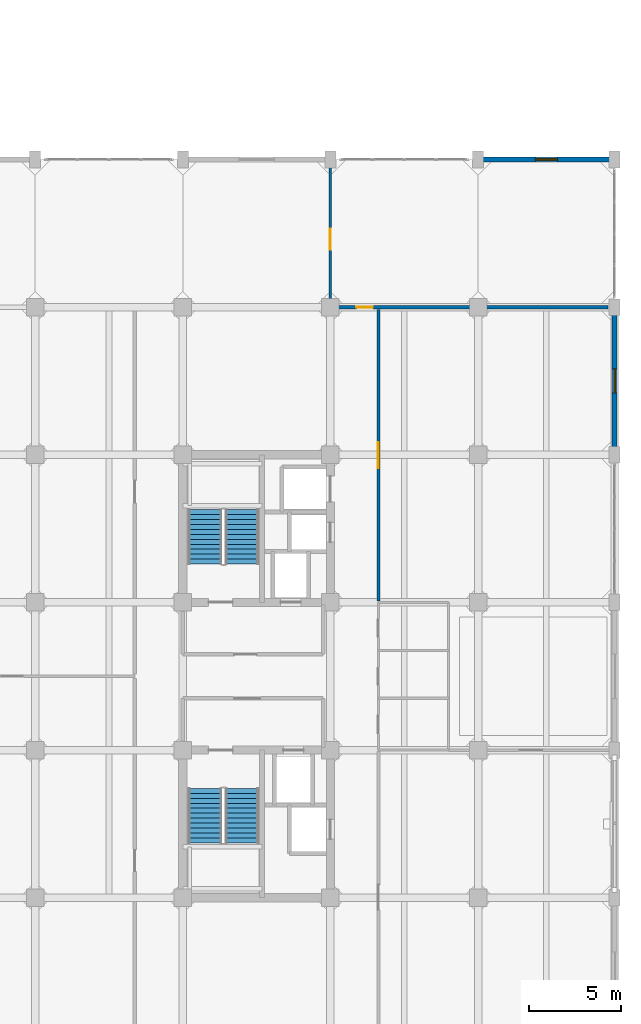
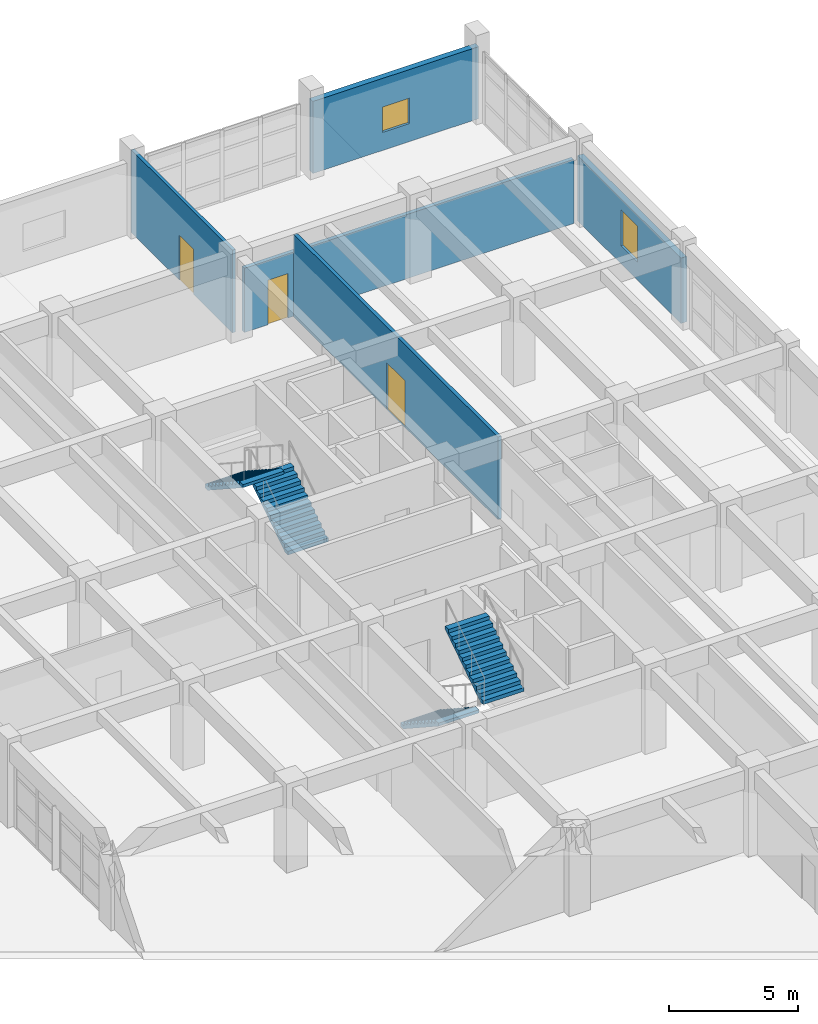
# One storey, part 28 of 35: 5 walls, 4 stair flights, 3 doors, 2 windows, 5 openings, 2 elements without a shape of their own.
"""IFC4 building model written with IfcOpenShell, lengths in metres."""

from ifc_helpers import new_model, si_unit, direction, frame, frame_2d, origin, place, context, subcontext, project, spatial, polyline, rectangle, outline, extrude, material, layer, layer_set, type_object, element, fill, aggregate, save


model = new_model("IFC4")

# Units and contexts
model_context = context("Model", 3, precision=1e-05, world=origin(), true_north=direction((0.0, 1.0)))
body_context = subcontext(model_context, "Body", "Model", "MODEL_VIEW")
ifc_project = project(units=[si_unit("LENGTHUNIT", "METRE"), si_unit("AREAUNIT", "SQUARE_METRE"), si_unit("VOLUMEUNIT", "CUBIC_METRE"), si_unit("PLANEANGLEUNIT", "RADIAN"), si_unit("MASSUNIT", "GRAM", prefix="KILO")], contexts=[model_context])

# Site, building, storey
site_placement = place(None, origin())
site = spatial("IfcSite", under=ifc_project, at=site_placement, CompositionType="ELEMENT")
building_placement = place(site_placement, origin())
building = spatial("IfcBuilding", under=site, at=building_placement, Name="Canggui Botanical Conservatory", CompositionType="ELEMENT")
storey_placement = place(building_placement, frame((0.0, 0.0, 15.0)))
storey = spatial("IfcBuildingStorey", under=building, at=storey_placement, Name="L04", CompositionType="ELEMENT", Elevation=15.0)

# Wall, opening, window
ifc_material_1 = material(Name="Precast Concrete C40", Category="concrete")
ifc_layer_1 = layer(ifc_material_1, 0.260009765625, Name="Precast Concrete C40", Category="concrete")
ifc_layer_set_1 = layer_set([ifc_layer_1], Name="Precast Concrete C40")
wall_type_1 = type_object("IfcWallType", Name="EW-260", PredefinedType="STANDARD", material=ifc_layer_set_1)
wall_1_placement = place(storey_placement, frame((170.0, 82.0, 0.0), z_axis=(0.0, 0.0, 1.0), x_axis=(1.0, 0.0, 0.0)))
wall_1 = element("IfcWall", 1, at=wall_1_placement, inside=storey, type_object=wall_type_1, Name="Tower Insulated Exterior Wall L04-N17", PredefinedType="STANDARD", context=body_context, shape_type="SweptSolid", body=[
    extrude(rectangle(XDim=7.39990234375, YDim=0.260009765625, at=frame_2d((3.699951171875, 0.0))), origin(), (0.0, 0.0, 1.0), 3.39990234375),
])
opening_1_placement = place(wall_1_placement, frame((3.10009765625, 0.0, 0.85009765625)))
opening_1 = element("IfcOpeningElement", 2, at=opening_1_placement, cuts=wall_1, Name="Opening W-06", PredefinedType="OPENING", context=body_context, shape_type="SweptSolid", body=[
    extrude(rectangle(XDim=1.199951171875, YDim=1.199951171875, at=frame_2d((0.60009765625, 0.60009765625))), frame((0.0, 0.14013671875, 0.0), z_axis=(0.0, -1.0, 0.0), x_axis=(1.0, 0.0, 0.0)), (0.0, 0.0, 1.0), 0.280029296875),
])
ifc_material_2 = material(Name="Low-E Insulated Glass", Category="glass")
window_type_1 = type_object("IfcWindowType", Name="WIN-06", PartitioningType="SINGLE_PANEL", PredefinedType="WINDOW", material=ifc_material_2)
window_1_placement = place(opening_1_placement, origin())
window_1 = element("IfcWindow", 3, at=window_1_placement, inside=storey, type_object=window_type_1, Name="Tower Firefighter Rescue Window L04-17", OverallHeight=1.199951171875, OverallWidth=1.199951171875, PartitioningType="SINGLE_PANEL", PredefinedType="WINDOW", context=body_context, shape_type="SweptSolid", body=[
    extrude(rectangle(XDim=1.199951171875, YDim=1.199951171875, at=frame_2d((0.60009765625, 0.60009765625))), frame((0.0, 0.030029296875, 0.0), z_axis=(0.0, -1.0, 0.0), x_axis=(1.0, 0.0, 0.0)), (0.0, 0.0, 1.0), 0.06005859375),
])
fill(opening_1, window_1)

wall_2_placement = place(storey_placement, frame((177.39990234375, 74.0, 0.0), z_axis=(0.0, 0.0, 1.0), x_axis=(0.0, -1.0, 0.0)))
wall_2 = element("IfcWall", 4, at=wall_2_placement, inside=storey, type_object=wall_type_1, Name="Tower Insulated Exterior Wall L04-E19", PredefinedType="STANDARD", context=body_context, shape_type="SweptSolid", body=[
    extrude(rectangle(XDim=8.0, YDim=0.260009765625, at=frame_2d((4.0, 0.0))), origin(), (0.0, 0.0, 1.0), 3.080078125),
])
opening_2_placement = place(wall_2_placement, frame((3.35009765625, 0.0, 0.85009765625)))
opening_2 = element("IfcOpeningElement", 5, at=opening_2_placement, cuts=wall_2, Name="Opening W-24", PredefinedType="OPENING", context=body_context, shape_type="SweptSolid", body=[
    extrude(rectangle(XDim=1.300048828125, YDim=1.699951171875, at=frame_2d((0.64990234375, 0.85009765625))), frame((0.0, 0.14013671875, 0.0), z_axis=(0.0, -1.0, 0.0), x_axis=(1.0, 0.0, 0.0)), (0.0, 0.0, 1.0), 0.280029296875),
])
window_type_2 = type_object("IfcWindowType", Name="WIN-24", PartitioningType="SINGLE_PANEL", PredefinedType="WINDOW", material=ifc_material_2)
window_2_placement = place(opening_2_placement, origin())
window_2 = element("IfcWindow", 6, at=window_2_placement, inside=storey, type_object=window_type_2, Name="Tower Window L04-19", OverallHeight=1.699951171875, OverallWidth=1.300048828125, PartitioningType="SINGLE_PANEL", PredefinedType="WINDOW", context=body_context, shape_type="SweptSolid", body=[
    extrude(rectangle(XDim=1.300048828125, YDim=1.699951171875, at=frame_2d((0.64990234375, 0.85009765625))), frame((0.0, 0.030029296875, 0.0), z_axis=(0.0, -1.0, 0.0), x_axis=(1.0, 0.0, 0.0)), (0.0, 0.0, 1.0), 0.06005859375),
])
fill(opening_2, window_2)

# Wall, opening, door
ifc_material_3 = material(Name="Gypsum Plasterboard Partition")
ifc_layer_2 = layer(ifc_material_3, 0.175048828125, Name="Gypsum Plasterboard Partition")
ifc_layer_set_2 = layer_set([ifc_layer_2], Name="Gypsum Plasterboard Partition")
wall_type_2 = type_object("IfcWallType", Name="IW-CORR-175", PredefinedType="STANDARD", material=ifc_layer_set_2)
wall_3_placement = place(storey_placement, frame((162.35009765625, 74.0, 0.0), z_axis=(0.0, 0.0, 1.0), x_axis=(1.0, 0.0, 0.0)))
wall_3 = element("IfcWall", 7, at=wall_3_placement, inside=storey, type_object=wall_type_2, Name="L04 Botanical Exchange Seminar Room North Suite Wall", PredefinedType="STANDARD", context=body_context, shape_type="SweptSolid", body=[
    extrude(rectangle(XDim=14.699951171875, YDim=0.175048828125, at=frame_2d((7.35009765625, 0.0))), origin(), (0.0, 0.0, 1.0), 3.030029296875),
])
opening_3_placement = place(wall_3_placement, frame((1.050048828125, 0.0, 0.0)))
opening_3 = element("IfcOpeningElement", 8, at=opening_3_placement, cuts=wall_3, Name="Opening FD-01", PredefinedType="OPENING", context=body_context, shape_type="SweptSolid", body=[
    extrude(rectangle(XDim=0.89990234375, YDim=2.10009765625, at=frame_2d((0.449951171875, 1.050048828125))), frame((0.0, 0.09765625, 0.0), z_axis=(0.0, -1.0, 0.0), x_axis=(1.0, 0.0, 0.0)), (0.0, 0.0, 1.0), 0.195068359375),
])
ifc_material_4 = material(Name="Powder-Coated Steel", Category="steel")
door_type_1 = type_object("IfcDoorType", Name="FD-01", OperationType="NOTDEFINED", PredefinedType="DOOR", material=ifc_material_4)
door_1_placement = place(opening_3_placement, origin())
door_1 = element("IfcDoor", 9, at=door_1_placement, inside=storey, type_object=door_type_1, Name="Interior Door IW-L04-NCOR-2", OperationType="SINGLE_SWING_RIGHT", OverallHeight=2.10009765625, OverallWidth=0.89990234375, PredefinedType="DOOR", context=body_context, shape_type="SweptSolid", body=[
    extrude(rectangle(XDim=0.89990234375, YDim=2.10009765625, at=frame_2d((0.449951171875, 1.050048828125))), frame((0.0, 0.02490234375, 0.0), z_axis=(0.0, -1.0, 0.0), x_axis=(1.0, 0.0, 0.0)), (0.0, 0.0, 1.0), 0.050048828125),
])
fill(opening_3, door_1)

ifc_layer_3 = layer(ifc_material_3, 0.155029296875, Name="Gypsum Plasterboard Partition")
ifc_layer_set_3 = layer_set([ifc_layer_3], Name="Gypsum Plasterboard Partition")
wall_type_3 = type_object("IfcWallType", Name="IW-LAB-155", PredefinedType="STANDARD", material=ifc_layer_set_3)
wall_4_placement = place(storey_placement, frame((164.60009765625, 58.080078125, 0.0), z_axis=(0.0, 0.0, 1.0), x_axis=(0.0, 1.0, 0.0)))
wall_4 = element("IfcWall", 10, at=wall_4_placement, inside=storey, type_object=wall_type_3, Name="L04 Herbarium Specimen Curation Hall Lab Wall", PredefinedType="STANDARD", context=body_context, shape_type="SweptSolid", body=[
    extrude(rectangle(XDim=15.7998046875, YDim=0.155029296875, at=frame_2d((7.89990234375, 0.0))), origin(), (0.0, 0.0, 1.0), 3.89990234375),
])
opening_4_placement = place(wall_4_placement, frame((7.199951171875, 0.0, 0.0)))
opening_4 = element("IfcOpeningElement", 11, at=opening_4_placement, cuts=wall_4, Name="Opening FD-11", PredefinedType="OPENING", context=body_context, shape_type="SweptSolid", body=[
    extrude(rectangle(XDim=1.39990234375, YDim=2.199951171875, at=frame_2d((0.699951171875, 1.10009765625))), frame((0.0, 0.08740234375, 0.0), z_axis=(0.0, -1.0, 0.0), x_axis=(1.0, 0.0, 0.0)), (0.0, 0.0, 1.0), 0.175048828125),
])
door_type_2 = type_object("IfcDoorType", Name="FD-11", OperationType="NOTDEFINED", PredefinedType="DOOR", material=ifc_material_4)
door_2_placement = place(opening_4_placement, origin())
door_2 = element("IfcDoor", 12, at=door_2_placement, inside=storey, type_object=door_type_2, Name="Interior Door IW-L04-ECOR-2-1", OperationType="SINGLE_SWING_RIGHT", OverallHeight=2.199951171875, OverallWidth=1.39990234375, PredefinedType="DOOR", context=body_context, shape_type="SweptSolid", body=[
    extrude(rectangle(XDim=1.39990234375, YDim=2.199951171875, at=frame_2d((0.699951171875, 1.10009765625))), frame((0.0, 0.02490234375, 0.0), z_axis=(0.0, -1.0, 0.0), x_axis=(1.0, 0.0, 0.0)), (0.0, 0.0, 1.0), 0.050048828125),
])
fill(opening_4, door_2)

ifc_layer_4 = layer(ifc_material_3, 0.139892578125, Name="Gypsum Plasterboard Partition")
ifc_layer_set_4 = layer_set([ifc_layer_4], Name="Gypsum Plasterboard Partition")
wall_type_4 = type_object("IfcWallType", Name="IW-PART-140", PredefinedType="STANDARD", material=ifc_layer_set_4)
wall_5_placement = place(storey_placement, frame((162.0, 74.1201171875, 0.0), z_axis=(0.0, 0.0, 1.0), x_axis=(0.0, 1.0, 0.0)))
wall_5 = element("IfcWall", 13, at=wall_5_placement, inside=storey, type_object=wall_type_4, Name="L04 Palaeobotany Fossil Plant Archive North Cross Wall", PredefinedType="STANDARD", context=body_context, shape_type="SweptSolid", body=[
    extrude(rectangle(XDim=7.829833984375, YDim=0.139892578125, at=frame_2d((3.9150390625, 0.0))), origin(), (0.0, 0.0, 1.0), 3.89990234375),
])
opening_5_placement = place(wall_5_placement, frame((3.0, 0.0, 0.0)))
opening_5 = element("IfcOpeningElement", 14, at=opening_5_placement, cuts=wall_5, Name="Opening ID-06", PredefinedType="OPENING", context=body_context, shape_type="SweptSolid", body=[
    extrude(rectangle(XDim=1.1201171875, YDim=2.1201171875, at=frame_2d((0.56005859375, 1.06005859375))), frame((0.0, 0.080078125, 0.0), z_axis=(0.0, -1.0, 0.0), x_axis=(1.0, 0.0, 0.0)), (0.0, 0.0, 1.0), 0.159912109375),
])
ifc_material_5 = material(Name="Engineered Timber Veneer", Category="wood")
door_type_3 = type_object("IfcDoorType", Name="ID-06", OperationType="NOTDEFINED", PredefinedType="DOOR", material=ifc_material_5)
door_3_placement = place(opening_5_placement, origin())
door_3 = element("IfcDoor", 15, at=door_3_placement, inside=storey, type_object=door_type_3, Name="Interior Door IW-L04-NDIV-1", OperationType="SINGLE_SWING_LEFT", OverallHeight=2.1201171875, OverallWidth=1.1201171875, PredefinedType="DOOR", context=body_context, shape_type="SweptSolid", body=[
    extrude(rectangle(XDim=1.1201171875, YDim=2.1201171875, at=frame_2d((0.56005859375, 1.06005859375))), frame((0.0, 0.02490234375, 0.0), z_axis=(0.0, -1.0, 0.0), x_axis=(1.0, 0.0, 0.0)), (0.0, 0.0, 1.0), 0.050048828125),
])
fill(opening_5, door_3)

# Stair, stair flights
ifc_material_6 = material(Name="Concrete C35", Category="concrete")
stair_type = type_object("IfcStairType", Name="STR-TYPE-6", PredefinedType="HALF_TURN_STAIR", material=ifc_material_6)
stair_1_placement = place(storey_placement, origin())
stair_1 = element("IfcStair", 16, at=stair_1_placement, inside=storey, type_object=stair_type, Name="L04 Tower South Smoke-Proof Stair ST-T1", PredefinedType="HALF_TURN_STAIR")
stair_flight_type = type_object("IfcStairFlightType", Name="SFL-TYPE-6", PredefinedType="STRAIGHT", material=ifc_material_6)
stair_flight_1_placement = place(storey_placement, frame((155.2099609375, 47.919921875, 0.0), z_axis=(0.0, 0.0, 1.0), x_axis=(0.0, -1.0, 0.0)))
stair_flight_1 = element("IfcStairFlight", 17, at=stair_flight_1_placement, type_object=stair_flight_type, Name="ST-T1 flight 1", NumberOfRisers=12, NumberOfTreads=11, PredefinedType="STRAIGHT", RiserHeight=0.175, TreadLength=0.268, context=body_context, shape_type="SweptSolid", body=[
    extrude(outline(polyline([(0.0, 0.0), (0.0, 0.175048828125), (0.26806640625, 0.175048828125), (0.26806640625, 0.35009765625), (0.535888671875, 0.35009765625), (0.535888671875, 0.52490234375), (0.803955078125, 0.52490234375), (0.803955078125, 0.699951171875), (1.072021484375, 0.699951171875), (1.072021484375, 0.875), (1.340087890625, 0.875), (1.340087890625, 1.050048828125), (1.60791015625, 1.050048828125), (1.60791015625, 1.22509765625), (1.8759765625, 1.22509765625), (1.8759765625, 1.39990234375), (2.14404296875, 1.39990234375), (2.14404296875, 1.574951171875), (2.412109375, 1.574951171875), (2.412109375, 1.75), (2.679931640625, 1.75), (2.679931640625, 1.925048828125), (2.947998046875, 1.925048828125), (2.947998046875, 2.10009765625), (2.947998046875, 1.781494140625), (0.2197265625, 0.0), (0.0, 0.0)])), frame((0.0, 0.91015625, 0.0), z_axis=(0.0, -1.0, 0.0), x_axis=(1.0, 0.0, 0.0)), (0.0, 0.0, 1.0), 1.820068359375),
])
stair_flight_2_placement = place(storey_placement, frame((157.2099609375, 44.971923828125, 2.10009765625), z_axis=(0.0, 0.0, 1.0), x_axis=(0.0, 1.0, 0.0)))
stair_flight_2 = element("IfcStairFlight", 18, at=stair_flight_2_placement, type_object=stair_flight_type, Name="ST-T1 flight 2", NumberOfRisers=12, NumberOfTreads=11, PredefinedType="STRAIGHT", RiserHeight=0.175, TreadLength=0.268, context=body_context, shape_type="SweptSolid", body=[
    extrude(outline(polyline([(0.0, 0.0), (0.0, 0.175048828125), (0.26806640625, 0.175048828125), (0.26806640625, 0.35009765625), (0.535888671875, 0.35009765625), (0.535888671875, 0.52490234375), (0.803955078125, 0.52490234375), (0.803955078125, 0.699951171875), (1.072021484375, 0.699951171875), (1.072021484375, 0.875), (1.340087890625, 0.875), (1.340087890625, 1.050048828125), (1.60791015625, 1.050048828125), (1.60791015625, 1.22509765625), (1.8759765625, 1.22509765625), (1.8759765625, 1.39990234375), (2.14404296875, 1.39990234375), (2.14404296875, 1.574951171875), (2.412109375, 1.574951171875), (2.412109375, 1.75), (2.679931640625, 1.75), (2.679931640625, 1.925048828125), (2.947998046875, 1.925048828125), (2.947998046875, 2.10009765625), (2.947998046875, 1.781494140625), (0.2197265625, 0.0), (0.0, 0.0)])), frame((0.0, 0.91015625, 0.0), z_axis=(0.0, -1.0, 0.0), x_axis=(1.0, 0.0, 0.0)), (0.0, 0.0, 1.0), 1.820068359375),
])
aggregate(stair_1, [stair_flight_1, stair_flight_2])

stair_2_placement = place(storey_placement, origin())
stair_2 = element("IfcStair", 19, at=stair_2_placement, inside=storey, type_object=stair_type, Name="L04 Tower North Smoke-Proof Stair ST-T2", PredefinedType="HALF_TURN_STAIR")
stair_flight_3_placement = place(storey_placement, frame((157.2099609375, 60.080078125, 0.0), z_axis=(0.0, 0.0, 1.0), x_axis=(0.0, 1.0, 0.0)))
stair_flight_3 = element("IfcStairFlight", 20, at=stair_flight_3_placement, type_object=stair_flight_type, Name="ST-T2 flight 1", NumberOfRisers=12, NumberOfTreads=11, PredefinedType="STRAIGHT", RiserHeight=0.175, TreadLength=0.268, context=body_context, shape_type="SweptSolid", body=[
    extrude(outline(polyline([(0.0, 0.0), (0.0, 0.175048828125), (0.26806640625, 0.175048828125), (0.26806640625, 0.35009765625), (0.535888671875, 0.35009765625), (0.535888671875, 0.52490234375), (0.803955078125, 0.52490234375), (0.803955078125, 0.699951171875), (1.072021484375, 0.699951171875), (1.072021484375, 0.875), (1.340087890625, 0.875), (1.340087890625, 1.050048828125), (1.60791015625, 1.050048828125), (1.60791015625, 1.22509765625), (1.8759765625, 1.22509765625), (1.8759765625, 1.39990234375), (2.14404296875, 1.39990234375), (2.14404296875, 1.574951171875), (2.412109375, 1.574951171875), (2.412109375, 1.75), (2.679931640625, 1.75), (2.679931640625, 1.925048828125), (2.947998046875, 1.925048828125), (2.947998046875, 2.10009765625), (2.947998046875, 1.781494140625), (0.2197265625, 0.0), (0.0, 0.0)])), frame((0.0, 0.91015625, 0.0), z_axis=(0.0, -1.0, 0.0), x_axis=(1.0, 0.0, 0.0)), (0.0, 0.0, 1.0), 1.820068359375),
])
stair_flight_4_placement = place(storey_placement, frame((155.2099609375, 63.028076171875, 2.10009765625), z_axis=(0.0, 0.0, 1.0), x_axis=(0.0, -1.0, 0.0)))
stair_flight_4 = element("IfcStairFlight", 21, at=stair_flight_4_placement, type_object=stair_flight_type, Name="ST-T2 flight 2", NumberOfRisers=12, NumberOfTreads=11, PredefinedType="STRAIGHT", RiserHeight=0.175, TreadLength=0.268, context=body_context, shape_type="SweptSolid", body=[
    extrude(outline(polyline([(0.0, 0.0), (0.0, 0.175048828125), (0.26806640625, 0.175048828125), (0.26806640625, 0.35009765625), (0.535888671875, 0.35009765625), (0.535888671875, 0.52490234375), (0.803955078125, 0.52490234375), (0.803955078125, 0.699951171875), (1.072021484375, 0.699951171875), (1.072021484375, 0.875), (1.340087890625, 0.875), (1.340087890625, 1.050048828125), (1.60791015625, 1.050048828125), (1.60791015625, 1.22509765625), (1.8759765625, 1.22509765625), (1.8759765625, 1.39990234375), (2.14404296875, 1.39990234375), (2.14404296875, 1.574951171875), (2.412109375, 1.574951171875), (2.412109375, 1.75), (2.679931640625, 1.75), (2.679931640625, 1.925048828125), (2.947998046875, 1.925048828125), (2.947998046875, 2.10009765625), (2.947998046875, 1.781494140625), (0.2197265625, 0.0), (0.0, 0.0)])), frame((0.0, 0.91015625, 0.0), z_axis=(0.0, -1.0, 0.0), x_axis=(1.0, 0.0, 0.0)), (0.0, 0.0, 1.0), 1.820068359375),
])
aggregate(stair_2, [stair_flight_3, stair_flight_4])

save(model, "model.ifc")
